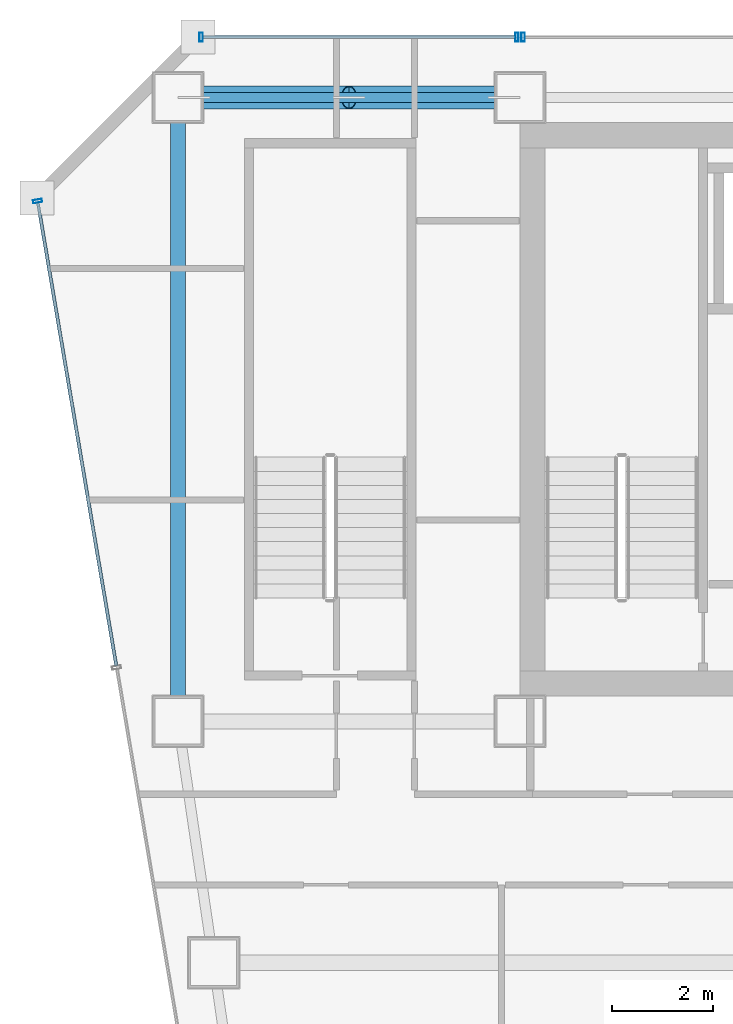
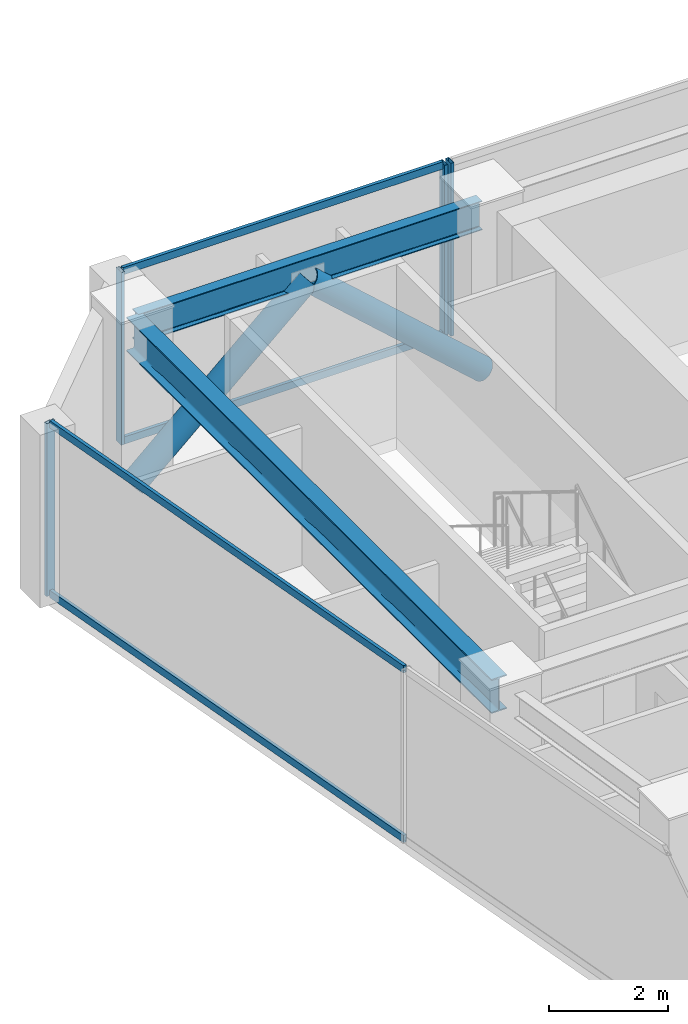
# One storey, part 22 of 35: 10 members, 2 beams, 3 elements without a shape of their own.
"""IFC4 building model written with IfcOpenShell, lengths in metres."""

from ifc_helpers import new_model, si_unit, direction, frame, origin, origin_2d, place, context, subcontext, project, spatial, hollow_rectangle, hollow_circle, i_section, extrude, material, material_profile, profile_set, type_object, element, aggregate, save


model = new_model("IFC4")

# Units and contexts
model_context = context("Model", 3, precision=1e-05, world=origin(), true_north=direction((0.0, 1.0)))
body_context = subcontext(model_context, "Body", "Model", "MODEL_VIEW")
ifc_project = project(units=[si_unit("LENGTHUNIT", "METRE"), si_unit("AREAUNIT", "SQUARE_METRE"), si_unit("VOLUMEUNIT", "CUBIC_METRE"), si_unit("PLANEANGLEUNIT", "RADIAN"), si_unit("MASSUNIT", "GRAM", prefix="KILO")], contexts=[model_context])

# Site, building, storey
site_placement = place(None, origin())
site = spatial("IfcSite", under=ifc_project, at=site_placement, CompositionType="ELEMENT")
building_placement = place(site_placement, origin())
building = spatial("IfcBuilding", under=site, at=building_placement, Name="Saevonmaru Cultural Tower", CompositionType="ELEMENT")
storey_placement = place(building_placement, frame((0.0, 0.0, 179.0)))
storey = spatial("IfcBuildingStorey", under=building, at=storey_placement, Name="L40", CompositionType="ELEMENT", Elevation=179.0)

# Beams
ifc_material_1 = material(Name="Steel SM355", Category="steel")
ifc_material_profile_1 = material_profile(ifc_material_1, i_section(OverallWidth=0.300048828125, OverallDepth=0.699951171875, WebThickness=0.012939453125, FlangeThickness=0.02392578125, FilletRadius=0.02587890625, at=origin_2d()), Name="H-700x300x13x24")
ifc_profile_set_1 = profile_set([ifc_material_profile_1], Name="Steel SM355")
beam_type_1 = type_object("IfcBeamType", Name="BM-G-H700", PredefinedType="BEAM", material=ifc_profile_set_1)
beam_1_placement = place(storey_placement, frame((6.800048828125, 54.739990234375, 3.199951171875), z_axis=(0.0, -1.0, 0.0), x_axis=(1.0, 0.0, 0.0)))
element("IfcBeam", 1, at=beam_1_placement, inside=storey, type_object=beam_type_1, Name="L40 Spine Transverse Girder W", PredefinedType="BEAM", context=body_context, shape_type="SweptSolid", body=[
    extrude(i_section(OverallWidth=0.300048828125, OverallDepth=0.699951171875, WebThickness=0.012939453125, FlangeThickness=0.02392578125, FilletRadius=0.02587890625, at=origin_2d()), origin(), (0.0, 0.0, 1.0), 12.280029296875),
])
ifc_material_profile_2 = material_profile(ifc_material_1, i_section(OverallWidth=0.199951171875, OverallDepth=0.60009765625, WebThickness=0.010986328125, FlangeThickness=0.01708984375, FilletRadius=0.02197265625, at=origin_2d()), Name="H-600x200x11x17")
ifc_profile_set_2 = profile_set([ifc_material_profile_2], Name="Steel SM355")
beam_type_2 = type_object("IfcBeamType", Name="BM-SP-H600", PredefinedType="SPANDREL", material=ifc_profile_set_2)
beam_2_placement = place(storey_placement, frame((6.860107421875, 54.800048828125, 3.25), z_axis=(1.0, 0.0, 0.0), x_axis=(0.0, 1.0, 0.0)))
element("IfcBeam", 2, at=beam_2_placement, inside=storey, type_object=beam_type_2, Name="L40 North Spine Girder 1", PredefinedType="SPANDREL", context=body_context, shape_type="SweptSolid", body=[
    extrude(i_section(OverallWidth=0.199951171875, OverallDepth=0.60009765625, WebThickness=0.010986328125, FlangeThickness=0.01708984375, FilletRadius=0.02197265625, at=origin_2d()), origin(), (0.0, 0.0, 1.0), 6.679931640625),
])

# Members
ifc_material_2 = material(Name="Steel SM420", Category="steel")
ifc_material_profile_3 = material_profile(ifc_material_2, hollow_circle(Radius=0.228515625, WallThickness=0.02001953125, at=origin_2d()), Name="CHS-457.2x20")
ifc_profile_set_3 = profile_set([ifc_material_profile_3], Name="Steel SM420")
member_type_1 = type_object("IfcMemberType", Name="MB-PBR-CHS457", PredefinedType="BRACE", material=ifc_profile_set_3)
for number, where, z_axis, x_axis, name in (
    (3, (6.800048828125, 54.800048828125, 0.02001953125), (0.744366945704, 0.0, 0.667770806597), (0.0, 1.0, 0.0), "L40 Perimeter Braced-Tube Diagonal WN1"),
    (4, (13.60009765625, 54.800048828125, 0.02001953125), (-0.744390779303, 0.0, 0.66774423823), (0.0, -1.0, 0.0), "L40 Perimeter Braced-Tube Diagonal WN2"),
):
    element("IfcMember", number, at=place(storey_placement, frame(where, z_axis=z_axis, x_axis=x_axis)), inside=storey, type_object=member_type_1, Name=name, PredefinedType="BRACE", context=body_context, shape_type="SweptSolid", body=[
        extrude(hollow_circle(Radius=0.228515625, WallThickness=0.02001953125, at=origin_2d()), origin(), (0.0, 0.0, 1.0), 4.567626953125),
    ])

# Curtain wall, member
ifc_material_3 = material(Name="Satin Bronze Anodised Aluminium", Category="aluminium")
curtain_wall_type = type_object("IfcCurtainWallType", Name="CW-TYP-B", PredefinedType="NOTDEFINED", material=ifc_material_3)
curtain_wall_1_placement = place(storey_placement, origin())
curtain_wall_1 = element("IfcCurtainWall", 5, at=curtain_wall_1_placement, inside=storey, type_object=curtain_wall_type, Name="L40 North Spine Unitised Curtain Wall E10B", PredefinedType="NOTDEFINED")
ifc_material_profile_4 = material_profile(ifc_material_3, hollow_rectangle(XDim=0.06494140625, YDim=0.179931640625, WallThickness=0.00390625, at=origin_2d()), Name="ALU-MULL-180x65x4")
ifc_profile_set_4 = profile_set([ifc_material_profile_4], Name="Satin Bronze Anodised Aluminium")
member_type_2 = type_object("IfcMemberType", Name="ML-CW-180x65", PredefinedType="MULLION", material=ifc_profile_set_4)
member_1_placement = place(storey_placement, frame((13.659912109375, 56.0, 0.0), z_axis=(0.0, 0.0, 1.0), x_axis=(-1.0, 0.0, 0.0)))
member_1 = element("IfcMember", 6, at=member_1_placement, type_object=member_type_2, Name="CW-TW-L40-E10B mullion 4", PredefinedType="MULLION", context=body_context, shape_type="SweptSolid", body=[
    extrude(hollow_rectangle(XDim=0.06494140625, YDim=0.179931640625, WallThickness=0.00390625, at=origin_2d()), origin(), (0.0, 0.0, 1.0), 3.550048828125),
])
aggregate(curtain_wall_1, [member_1])

# Curtain wall, members
curtain_wall_2_placement = place(storey_placement, origin())
curtain_wall_2 = element("IfcCurtainWall", 7, at=curtain_wall_2_placement, inside=storey, type_object=curtain_wall_type, Name="L40 West Braced Bay Spandrel Curtain Wall E10C", PredefinedType="NOTDEFINED")
member_2_placement = place(storey_placement, frame((13.5400390625, 56.0, 0.0), z_axis=(0.0, 0.0, 1.0), x_axis=(-1.0, 0.0, 0.0)))
member_2 = element("IfcMember", 8, at=member_2_placement, type_object=member_type_2, Name="CW-TW-L40-E10C mullion 1", PredefinedType="MULLION", context=body_context, shape_type="SweptSolid", body=[
    extrude(hollow_rectangle(XDim=0.06494140625, YDim=0.179931640625, WallThickness=0.00390625, at=origin_2d()), origin(), (0.0, 0.0, 1.0), 3.550048828125),
])
member_3_placement = place(storey_placement, frame((7.260009765625, 56.0, 0.0), z_axis=(0.0, 0.0, 1.0), x_axis=(-1.0, 0.0, 0.0)))
member_3 = element("IfcMember", 9, at=member_3_placement, type_object=member_type_2, Name="CW-TW-L40-E10C mullion 2", PredefinedType="MULLION", context=body_context, shape_type="SweptSolid", body=[
    extrude(hollow_rectangle(XDim=0.06494140625, YDim=0.179931640625, WallThickness=0.00390625, at=origin_2d()), origin(), (0.0, 0.0, 1.0), 3.550048828125),
])

# Curtain wall, member
curtain_wall_3_placement = place(storey_placement, origin())
curtain_wall_3 = element("IfcCurtainWall", 10, at=curtain_wall_3_placement, inside=storey, type_object=curtain_wall_type, Name="L40 Unitised Curtain Wall E12", PredefinedType="NOTDEFINED")
member_4_placement = place(storey_placement, frame((4.010009765625, 52.74072265625, 0.0), z_axis=(0.0, 0.0, 1.0), x_axis=(0.16692169721, -0.985970155228, 0.0)))
member_4 = element("IfcMember", 11, at=member_4_placement, type_object=member_type_2, Name="CW-TW-L40-E12 mullion 1", PredefinedType="MULLION", context=body_context, shape_type="SweptSolid", body=[
    extrude(hollow_rectangle(XDim=0.06494140625, YDim=0.179931640625, WallThickness=0.00390625, at=origin_2d()), origin(), (0.0, 0.0, 1.0), 3.550048828125),
])

# Member
ifc_material_profile_5 = material_profile(ifc_material_3, hollow_rectangle(XDim=0.06494140625, YDim=0.14990234375, WallThickness=0.00390625, at=origin_2d()), Name="ALU-TRAN-150x65x4")
ifc_profile_set_5 = profile_set([ifc_material_profile_5], Name="Satin Bronze Anodised Aluminium")
member_type_3 = type_object("IfcMemberType", Name="TR-CW-150x65", PredefinedType="USERDEFINED", material=ifc_profile_set_5)
member_5_placement = place(storey_placement, frame((13.507568359375, 56.0, 0.032470703125), z_axis=(-1.0, 0.0, 0.0), x_axis=(0.0, -1.0, 0.0)))
member_5 = element("IfcMember", 12, at=member_5_placement, type_object=member_type_3, Name="CW-TW-L40-E10C transom 1.1", ObjectType="TRANSOM", PredefinedType="USERDEFINED", context=body_context, shape_type="SweptSolid", body=[
    extrude(hollow_rectangle(XDim=0.06494140625, YDim=0.14990234375, WallThickness=0.00390625, at=origin_2d()), origin(), (0.0, 0.0, 1.0), 6.215087890625),
])

member_6_placement = place(storey_placement, frame((13.507568359375, 56.0, 3.517578125), z_axis=(-1.0, 0.0, 0.0), x_axis=(0.0, -1.0, 0.0)))
member_6 = element("IfcMember", 13, at=member_6_placement, type_object=member_type_3, Name="CW-TW-L40-E10C transom 1.2", ObjectType="TRANSOM", PredefinedType="USERDEFINED", context=body_context, shape_type="SweptSolid", body=[
    extrude(hollow_rectangle(XDim=0.06494140625, YDim=0.14990234375, WallThickness=0.00390625, at=origin_2d()), origin(), (0.0, 0.0, 1.0), 6.215087890625),
])

aggregate(curtain_wall_2, [member_2, member_3, member_5, member_6])

member_7_placement = place(storey_placement, frame((4.015380859375, 52.708740234375, 0.032470703125), z_axis=(0.166921263871, -0.985970228591, 0.0), x_axis=(0.985970228591, 0.166921263871, 0.0)))
member_7 = element("IfcMember", 14, at=member_7_placement, type_object=member_type_3, Name="CW-TW-L40-E12 transom 1.1", ObjectType="TRANSOM", PredefinedType="USERDEFINED", context=body_context, shape_type="SweptSolid", body=[
    extrude(hollow_rectangle(XDim=0.06494140625, YDim=0.14990234375, WallThickness=0.00390625, at=origin_2d()), origin(), (0.0, 0.0, 1.0), 9.33740234375),
])

member_8_placement = place(storey_placement, frame((4.015380859375, 52.708740234375, 3.517578125), z_axis=(0.166921263871, -0.985970228591, 0.0), x_axis=(0.985970228591, 0.166921263871, 0.0)))
member_8 = element("IfcMember", 15, at=member_8_placement, type_object=member_type_3, Name="CW-TW-L40-E12 transom 1.2", ObjectType="TRANSOM", PredefinedType="USERDEFINED", context=body_context, shape_type="SweptSolid", body=[
    extrude(hollow_rectangle(XDim=0.06494140625, YDim=0.14990234375, WallThickness=0.00390625, at=origin_2d()), origin(), (0.0, 0.0, 1.0), 9.33740234375),
])

aggregate(curtain_wall_3, [member_4, member_7, member_8])

save(model, "model.ifc")
